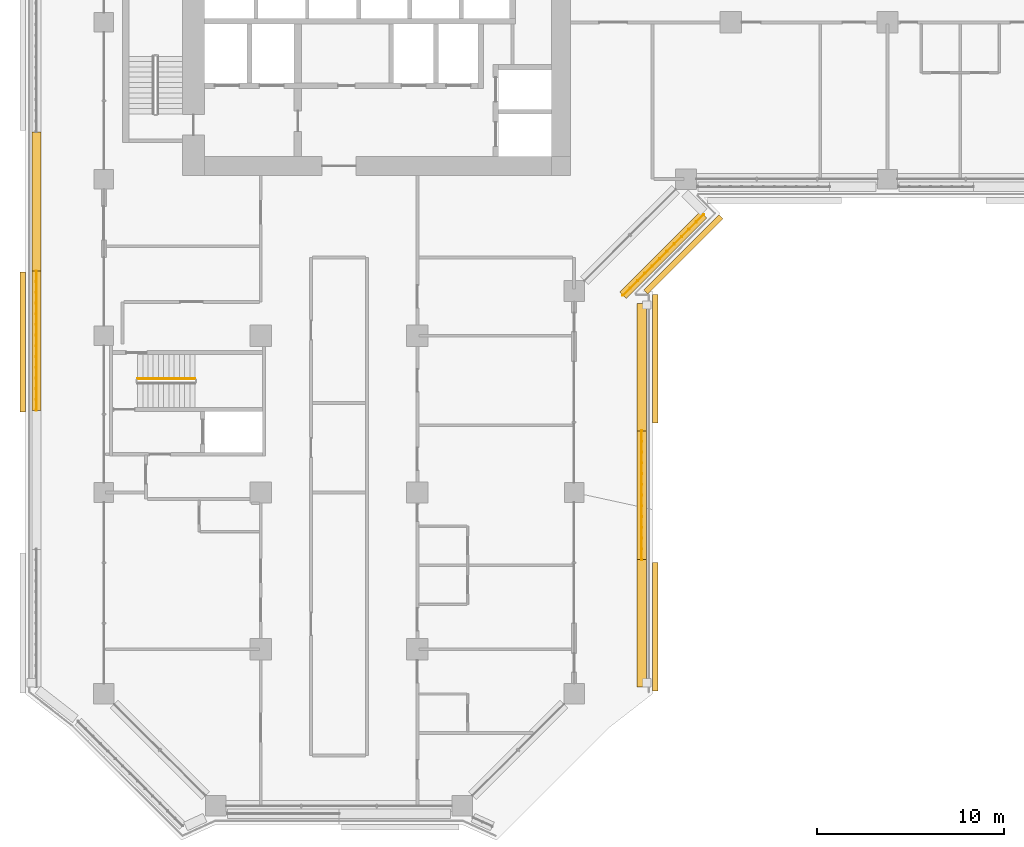
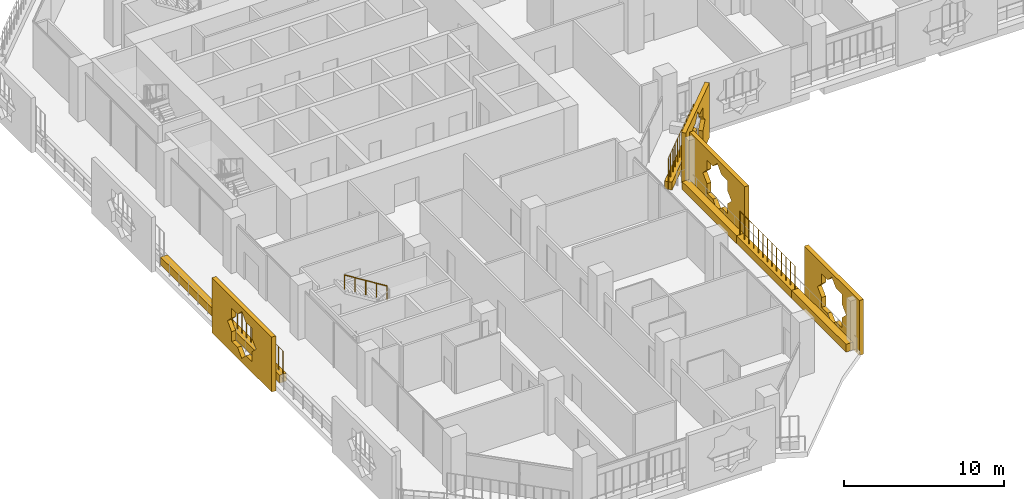
# One storey, part 20 of 25: 10 coverings, 4 railings.
"""IFC4 building model written with IfcOpenShell, lengths in metres."""

from ifc_helpers import new_model, si_unit, direction, frame, origin, origin_2d, place, context, subcontext, project, spatial, polyline, rectangle, circle, outline, extrude, material, material_profile, profile_set, type_object, element, save


model = new_model("IFC4")

# Units and contexts
model_context = context("Model", 3, precision=1e-05, world=origin(), true_north=direction((0.0, 1.0)))
body_context = subcontext(model_context, "Body", "Model", "MODEL_VIEW")
ifc_project = project(units=[si_unit("LENGTHUNIT", "METRE"), si_unit("AREAUNIT", "SQUARE_METRE"), si_unit("VOLUMEUNIT", "CUBIC_METRE"), si_unit("PLANEANGLEUNIT", "RADIAN"), si_unit("MASSUNIT", "GRAM", prefix="KILO")], contexts=[model_context])

# Site, building, storey
site_placement = place(None, origin())
site = spatial("IfcSite", under=ifc_project, at=site_placement, CompositionType="ELEMENT")
building_placement = place(site_placement, origin())
building = spatial("IfcBuilding", under=site, at=building_placement, Name="Kawkab Arch Medical Tower", CompositionType="ELEMENT")
storey_placement = place(building_placement, frame((0.0, 0.0, 124.0)))
storey = spatial("IfcBuildingStorey", under=building, at=storey_placement, Name="L28", CompositionType="ELEMENT", Elevation=124.0)

# Coverings
ifc_material_1 = material(Name="Bronze anodised aluminium mashrabiya panel, eight-point star pattern", Category="aluminium")
ifc_material_profile_1 = material_profile(ifc_material_1, outline(polyline([(-2.85009765625, -2.10009765625), (2.85009765625, -2.10009765625), (2.85009765625, 2.10009765625), (-2.85009765625, 2.10009765625), (-2.85009765625, -2.10009765625)]), holes=[polyline([(1.800048828125, 0.0), (1.272705078125, 0.527099609375), (1.272705078125, 1.272705078125), (0.527099609375, 1.272705078125), (0.0, 1.800048828125), (-0.527099609375, 1.272705078125), (-1.272705078125, 1.272705078125), (-1.272705078125, 0.527099609375), (-1.800048828125, 0.0), (-1.272705078125, -0.527099609375), (-1.272705078125, -1.272705078125), (-0.527099609375, -1.272705078125), (0.0, -1.800048828125), (0.527099609375, -1.272705078125), (1.272705078125, -1.272705078125), (1.272705078125, -0.527099609375), (1.800048828125, 0.0)])]), Name="Mashrabiya panel 5700x4200")
ifc_profile_set_1 = profile_set([ifc_material_profile_1], Name="Bronze anodised aluminium mashrabiya panel, eight-point star pattern")
covering_type_1 = type_object("IfcCoveringType", Name="Mashrabiya panel 5700 x 4200", PredefinedType="USERDEFINED", material=ifc_profile_set_1)
covering_1_placement = place(storey_placement, frame((30.94775390625, -29.128662109375, 1.699951171875), z_axis=(0.707106781187, -0.707106781187, 0.0), x_axis=(0.707106781187, 0.707106781187, 0.0)))
element("IfcCovering", 1, at=covering_1_placement, inside=storey, type_object=covering_type_1, Name="Mashrabiya panel L28.LOG-01-01.14", ObjectType="SCREEN", PredefinedType="USERDEFINED", context=body_context, shape_type="SweptSolid", body=[
    extrude(outline(polyline([(-2.85009765625, -2.10009765625), (2.85009765625, -2.10009765625), (2.85009765625, 2.10009765625), (-2.85009765625, 2.10009765625), (-2.85009765625, -2.10009765625)]), holes=[polyline([(1.800048828125, 0.0), (1.272705078125, 0.527099609375), (1.272705078125, 1.272705078125), (0.527099609375, 1.272705078125), (0.0, 1.800048828125), (-0.527099609375, 1.272705078125), (-1.272705078125, 1.272705078125), (-1.272705078125, 0.527099609375), (-1.800048828125, 0.0), (-1.272705078125, -0.527099609375), (-1.272705078125, -1.272705078125), (-0.527099609375, -1.272705078125), (0.0, -1.800048828125), (0.527099609375, -1.272705078125), (1.272705078125, -1.272705078125), (1.272705078125, -0.527099609375), (1.800048828125, 0.0)])]), origin(), (0.0, 0.0, 1.0), 0.300048828125),
])
ifc_material_2 = material(Name="Bronze anodised aluminium mashrabiya panel, eight-point star pattern", Category="aluminium")
ifc_material_profile_2 = material_profile(ifc_material_2, outline(polyline([(-3.449951171875, -2.10009765625), (3.449951171875, -2.10009765625), (3.449951171875, 2.10009765625), (-3.449951171875, 2.10009765625), (-3.449951171875, -2.10009765625)]), holes=[polyline([(1.800048828125, 0.0), (1.272705078125, 0.527099609375), (1.272705078125, 1.272705078125), (0.527099609375, 1.272705078125), (0.0, 1.800048828125), (-0.527099609375, 1.272705078125), (-1.272705078125, 1.272705078125), (-1.272705078125, 0.527099609375), (-1.800048828125, 0.0), (-1.272705078125, -0.527099609375), (-1.272705078125, -1.272705078125), (-0.527099609375, -1.272705078125), (0.0, -1.800048828125), (0.527099609375, -1.272705078125), (1.272705078125, -1.272705078125), (1.272705078125, -0.527099609375), (1.800048828125, 0.0)])]), Name="Mashrabiya panel 6900x4200")
ifc_profile_set_2 = profile_set([ifc_material_profile_2], Name="Bronze anodised aluminium mashrabiya panel, eight-point star pattern")
covering_type_2 = type_object("IfcCoveringType", Name="Mashrabiya panel 6900 x 4200", PredefinedType="USERDEFINED", material=ifc_profile_set_2)
for number, where, z_axis, x_axis, name in (
    (2, (29.39990234375, -34.827392578125, 1.699951171875), (1.0, 0.0, 0.0), (0.0, 1.0, 0.0), "Mashrabiya panel L28.LOG-01-01.15"),
    (3, (29.39990234375, -49.197509765625, 1.699951171875), (1.0, 0.0, 0.0), (0.0, 1.0, 0.0), "Mashrabiya panel L28.LOG-01-01.16"),
):
    element("IfcCovering", number, at=place(storey_placement, frame(where, z_axis=z_axis, x_axis=x_axis)), inside=storey, type_object=covering_type_2, Name=name, ObjectType="SCREEN", PredefinedType="USERDEFINED", context=body_context, shape_type="SweptSolid", body=[
        extrude(outline(polyline([(-3.449951171875, -2.10009765625), (3.449951171875, -2.10009765625), (3.449951171875, 2.10009765625), (-3.449951171875, 2.10009765625), (-3.449951171875, -2.10009765625)]), holes=[polyline([(1.800048828125, 0.0), (1.272705078125, 0.527099609375), (1.272705078125, 1.272705078125), (0.527099609375, 1.272705078125), (0.0, 1.800048828125), (-0.527099609375, 1.272705078125), (-1.272705078125, 1.272705078125), (-1.272705078125, 0.527099609375), (-1.800048828125, 0.0), (-1.272705078125, -0.527099609375), (-1.272705078125, -1.272705078125), (-0.527099609375, -1.272705078125), (0.0, -1.800048828125), (0.527099609375, -1.272705078125), (1.272705078125, -1.272705078125), (1.272705078125, -0.527099609375), (1.800048828125, 0.0)])]), origin(), (0.0, 0.0, 1.0), 0.300048828125),
    ])
ifc_material_3 = material(Name="Bronze anodised aluminium mashrabiya panel, eight-point star pattern", Category="aluminium")
ifc_material_profile_3 = material_profile(ifc_material_3, outline(polyline([(-3.75, -2.10009765625), (3.75, -2.10009765625), (3.75, 2.10009765625), (-3.75, 2.10009765625), (-3.75, -2.10009765625)]), holes=[polyline([(1.800048828125, 0.0), (1.272705078125, 0.527099609375), (1.272705078125, 1.272705078125), (0.527099609375, 1.272705078125), (0.0, 1.800048828125), (-0.527099609375, 1.272705078125), (-1.272705078125, 1.272705078125), (-1.272705078125, 0.527099609375), (-1.800048828125, 0.0), (-1.272705078125, -0.527099609375), (-1.272705078125, -1.272705078125), (-0.527099609375, -1.272705078125), (0.0, -1.800048828125), (0.527099609375, -1.272705078125), (1.272705078125, -1.272705078125), (1.272705078125, -0.527099609375), (1.800048828125, 0.0)])]), Name="Mashrabiya panel 7500x4200")
ifc_profile_set_3 = profile_set([ifc_material_profile_3], Name="Bronze anodised aluminium mashrabiya panel, eight-point star pattern")
covering_type_3 = type_object("IfcCoveringType", Name="Mashrabiya panel 7500 x 4200", PredefinedType="USERDEFINED", material=ifc_profile_set_3)
covering_2_placement = place(storey_placement, frame((-4.199951171875, -33.94140625, 1.699951171875), z_axis=(-1.0, 0.0, 0.0), x_axis=(0.0, -1.0, 0.0)))
element("IfcCovering", 4, at=covering_2_placement, inside=storey, type_object=covering_type_3, Name="Mashrabiya panel L28.LOG-01-01.3", ObjectType="SCREEN", PredefinedType="USERDEFINED", context=body_context, shape_type="SweptSolid", body=[
    extrude(outline(polyline([(-3.75, -2.10009765625), (3.75, -2.10009765625), (3.75, 2.10009765625), (-3.75, 2.10009765625), (-3.75, -2.10009765625)]), holes=[polyline([(1.800048828125, 0.0), (1.272705078125, 0.527099609375), (1.272705078125, 1.272705078125), (0.527099609375, 1.272705078125), (0.0, 1.800048828125), (-0.527099609375, 1.272705078125), (-1.272705078125, 1.272705078125), (-1.272705078125, 0.527099609375), (-1.800048828125, 0.0), (-1.272705078125, -0.527099609375), (-1.272705078125, -1.272705078125), (-0.527099609375, -1.272705078125), (0.0, -1.800048828125), (0.527099609375, -1.272705078125), (1.272705078125, -1.272705078125), (1.272705078125, -0.527099609375), (1.800048828125, 0.0)])]), origin(), (0.0, 0.0, 1.0), 0.300048828125),
])
ifc_material_4 = material(Name="Planting soil in a precast trough", Category="concrete")
ifc_material_profile_4 = material_profile(ifc_material_4, rectangle(XDim=0.5, YDim=0.60009765625, at=origin_2d()), Name="Trough 500x600")
ifc_profile_set_4 = profile_set([ifc_material_profile_4], Name="Planting soil in a precast trough")
covering_type_4 = type_object("IfcCoveringType", Name="Planter trough 500 x 600", PredefinedType="USERDEFINED", material=ifc_profile_set_4)
covering_3_placement = place(storey_placement, frame((-3.6201171875, -37.593017578125, 0.300048828125), z_axis=(0.0, 1.0, 0.0), x_axis=(-1.0, 0.0, 0.0)))
element("IfcCovering", 5, at=covering_3_placement, inside=storey, type_object=covering_type_4, Name="Planter L28.LOG-01-01.9", ObjectType="PLANTER", PredefinedType="USERDEFINED", context=body_context, shape_type="SweptSolid", body=[
    extrude(rectangle(XDim=0.5, YDim=0.60009765625, at=origin_2d()), origin(), (0.0, 0.0, 1.0), 7.4619140625),
])
covering_4_placement = place(storey_placement, frame((-3.6201171875, -30.131103515625, 0.300048828125), z_axis=(0.0, 1.0, 0.0), x_axis=(-1.0, 0.0, 0.0)))
element("IfcCovering", 6, at=covering_4_placement, inside=storey, type_object=covering_type_4, Name="Planter L28.LOG-01-01.10", ObjectType="PLANTER", PredefinedType="USERDEFINED", context=body_context, shape_type="SweptSolid", body=[
    extrude(rectangle(XDim=0.5, YDim=0.60009765625, at=origin_2d()), origin(), (0.0, 0.0, 1.0), 7.462158203125),
])
covering_5_placement = place(storey_placement, frame((32.14697265625, -27.10888671875, 0.300048828125), z_axis=(-0.707007043994, -0.707206504313, 0.0), x_axis=(0.707206504313, -0.707007043994, 0.0)))
element("IfcCovering", 7, at=covering_5_placement, inside=storey, type_object=covering_type_4, Name="Planter L28.LOG-01-01.43", ObjectType="PLANTER", PredefinedType="USERDEFINED", context=body_context, shape_type="SweptSolid", body=[
    extrude(rectangle(XDim=0.5, YDim=0.60009765625, at=origin_2d()), origin(), (0.0, 0.0, 1.0), 6.1201171875),
])
covering_6_placement = place(storey_placement, frame((28.820068359375, -31.8798828125, 0.300048828125), z_axis=(0.0, -1.0, 0.0), x_axis=(1.0, 0.0, 0.0)))
element("IfcCovering", 8, at=covering_6_placement, inside=storey, type_object=covering_type_4, Name="Planter L28.LOG-01-01.44", ObjectType="PLANTER", PredefinedType="USERDEFINED", context=body_context, shape_type="SweptSolid", body=[
    extrude(rectangle(XDim=0.5, YDim=0.60009765625, at=origin_2d()), origin(), (0.0, 0.0, 1.0), 6.81201171875),
])
covering_7_placement = place(storey_placement, frame((28.820068359375, -38.69189453125, 0.300048828125), z_axis=(0.0, -1.0, 0.0), x_axis=(1.0, 0.0, 0.0)))
element("IfcCovering", 9, at=covering_7_placement, inside=storey, type_object=covering_type_4, Name="Planter L28.LOG-01-01.45", ObjectType="PLANTER", PredefinedType="USERDEFINED", context=body_context, shape_type="SweptSolid", body=[
    extrude(rectangle(XDim=0.5, YDim=0.60009765625, at=origin_2d()), origin(), (0.0, 0.0, 1.0), 6.912109375),
])
covering_8_placement = place(storey_placement, frame((28.820068359375, -45.60400390625, 0.300048828125), z_axis=(0.0, -1.0, 0.0), x_axis=(1.0, 0.0, 0.0)))
element("IfcCovering", 10, at=covering_8_placement, inside=storey, type_object=covering_type_4, Name="Planter L28.LOG-01-01.46", ObjectType="PLANTER", PredefinedType="USERDEFINED", context=body_context, shape_type="SweptSolid", body=[
    extrude(rectangle(XDim=0.5, YDim=0.60009765625, at=origin_2d()), origin(), (0.0, 0.0, 1.0), 6.81201171875),
])

# Railings
ifc_material_5 = material(Name="Bronze anodised aluminium trellis for climbing plants", Category="aluminium")
railing_type_1 = type_object("IfcRailingType", Name="Planting trellis 2400", PredefinedType="USERDEFINED", material=ifc_material_5)
railing_1_placement = place(storey_placement, frame((-3.6201171875, -37.593017578125, 0.0)))
element("IfcRailing", 11, at=railing_1_placement, inside=storey, type_object=railing_type_1, Name="Planting trellis L28.LOG-01-01.9", ObjectType="TRELLIS", PredefinedType="USERDEFINED", context=body_context, shape_type="SweptSolid", body=[
    extrude(circle(Radius=0.01513671875, at=origin_2d()), frame((0.0, 0.0, 2.384765625), z_axis=(0.0, 1.0, 0.0), x_axis=(-1.0, 0.0, 0.0)), (0.0, 0.0, 1.0), 7.4619140625),
    extrude(circle(Radius=0.030029296875, at=origin_2d()), origin(), (0.0, 0.0, 1.0), 2.369873046875),
    extrude(circle(Radius=0.030029296875, at=origin_2d()), frame((0.0, 0.573974609375, 0.0)), (0.0, 0.0, 1.0), 2.369873046875),
    extrude(circle(Radius=0.030029296875, at=origin_2d()), frame((0.0, 1.14794921875, 0.0)), (0.0, 0.0, 1.0), 2.369873046875),
    extrude(circle(Radius=0.030029296875, at=origin_2d()), frame((0.0, 1.721923828125, 0.0)), (0.0, 0.0, 1.0), 2.369873046875),
    extrude(circle(Radius=0.030029296875, at=origin_2d()), frame((0.0, 2.2958984375, 0.0)), (0.0, 0.0, 1.0), 2.369873046875),
    extrude(circle(Radius=0.030029296875, at=origin_2d()), frame((0.0, 2.869873046875, 0.0)), (0.0, 0.0, 1.0), 2.369873046875),
    extrude(circle(Radius=0.030029296875, at=origin_2d()), frame((0.0, 3.44384765625, 0.0)), (0.0, 0.0, 1.0), 2.369873046875),
    extrude(circle(Radius=0.030029296875, at=origin_2d()), frame((0.0, 4.01806640625, 0.0)), (0.0, 0.0, 1.0), 2.369873046875),
    extrude(circle(Radius=0.030029296875, at=origin_2d()), frame((0.0, 4.592041015625, 0.0)), (0.0, 0.0, 1.0), 2.369873046875),
    extrude(circle(Radius=0.030029296875, at=origin_2d()), frame((0.0, 5.166015625, 0.0)), (0.0, 0.0, 1.0), 2.369873046875),
    extrude(circle(Radius=0.030029296875, at=origin_2d()), frame((0.0, 5.739990234375, 0.0)), (0.0, 0.0, 1.0), 2.369873046875),
    extrude(circle(Radius=0.030029296875, at=origin_2d()), frame((0.0, 6.31396484375, 0.0)), (0.0, 0.0, 1.0), 2.369873046875),
    extrude(circle(Radius=0.030029296875, at=origin_2d()), frame((0.0, 6.887939453125, 0.0)), (0.0, 0.0, 1.0), 2.369873046875),
    extrude(circle(Radius=0.030029296875, at=origin_2d()), frame((0.0, 7.4619140625, 0.0)), (0.0, 0.0, 1.0), 2.369873046875),
])
railing_2_placement = place(storey_placement, frame((32.14697265625, -27.10888671875, 0.0)))
element("IfcRailing", 12, at=railing_2_placement, inside=storey, type_object=railing_type_1, Name="Planting trellis L28.LOG-01-01.43", ObjectType="TRELLIS", PredefinedType="USERDEFINED", context=body_context, shape_type="SweptSolid", body=[
    extrude(circle(Radius=0.01513671875, at=origin_2d()), frame((0.0, 0.0, 2.384765625), z_axis=(-0.707007043994, -0.707206504313, 0.0), x_axis=(0.707206504313, -0.707007043994, 0.0)), (0.0, 0.0, 1.0), 6.1201171875),
    extrude(circle(Radius=0.030029296875, at=origin_2d()), origin(), (0.0, 0.0, 1.0), 2.369873046875),
    extrude(circle(Radius=0.030029296875, at=origin_2d()), frame((-0.393310546875, -0.3935546875, 0.0)), (0.0, 0.0, 1.0), 2.369873046875),
    extrude(circle(Radius=0.030029296875, at=origin_2d()), frame((-0.78662109375, -0.786865234375, 0.0)), (0.0, 0.0, 1.0), 2.369873046875),
    extrude(circle(Radius=0.030029296875, at=origin_2d()), frame((-1.18017578125, -1.180419921875, 0.0)), (0.0, 0.0, 1.0), 2.369873046875),
    extrude(circle(Radius=0.030029296875, at=origin_2d()), frame((-1.573486328125, -1.573974609375, 0.0)), (0.0, 0.0, 1.0), 2.369873046875),
    extrude(circle(Radius=0.030029296875, at=origin_2d()), frame((-1.966796875, -1.96728515625, 0.0)), (0.0, 0.0, 1.0), 2.369873046875),
    extrude(circle(Radius=0.030029296875, at=origin_2d()), frame((-2.360107421875, -2.36083984375, 0.0)), (0.0, 0.0, 1.0), 2.369873046875),
    extrude(circle(Radius=0.030029296875, at=origin_2d()), frame((-2.75341796875, -2.754150390625, 0.0)), (0.0, 0.0, 1.0), 2.369873046875),
    extrude(circle(Radius=0.030029296875, at=origin_2d()), frame((-3.146728515625, -3.147705078125, 0.0)), (0.0, 0.0, 1.0), 2.369873046875),
    extrude(circle(Radius=0.030029296875, at=origin_2d()), frame((-3.540283203125, -3.541259765625, 0.0)), (0.0, 0.0, 1.0), 2.369873046875),
    extrude(circle(Radius=0.030029296875, at=origin_2d()), frame((-3.93359375, -3.9345703125, 0.0)), (0.0, 0.0, 1.0), 2.369873046875),
    extrude(circle(Radius=0.030029296875, at=origin_2d()), frame((-4.326904296875, -4.328125, 0.0)), (0.0, 0.0, 1.0), 2.369873046875),
])
railing_3_placement = place(storey_placement, frame((28.820068359375, -38.69189453125, 0.0)))
element("IfcRailing", 13, at=railing_3_placement, inside=storey, type_object=railing_type_1, Name="Planting trellis L28.LOG-01-01.45", ObjectType="TRELLIS", PredefinedType="USERDEFINED", context=body_context, shape_type="SweptSolid", body=[
    extrude(circle(Radius=0.01513671875, at=origin_2d()), frame((0.0, 0.0, 2.384765625), z_axis=(0.0, -1.0, 0.0), x_axis=(1.0, 0.0, 0.0)), (0.0, 0.0, 1.0), 6.912109375),
    extrude(circle(Radius=0.030029296875, at=origin_2d()), origin(), (0.0, 0.0, 1.0), 2.369873046875),
    extrude(circle(Radius=0.030029296875, at=origin_2d()), frame((0.0, -0.575927734375, 0.0)), (0.0, 0.0, 1.0), 2.369873046875),
    extrude(circle(Radius=0.030029296875, at=origin_2d()), frame((0.0, -1.152099609375, 0.0)), (0.0, 0.0, 1.0), 2.369873046875),
    extrude(circle(Radius=0.030029296875, at=origin_2d()), frame((0.0, -1.72802734375, 0.0)), (0.0, 0.0, 1.0), 2.369873046875),
    extrude(circle(Radius=0.030029296875, at=origin_2d()), frame((0.0, -2.303955078125, 0.0)), (0.0, 0.0, 1.0), 2.369873046875),
    extrude(circle(Radius=0.030029296875, at=origin_2d()), frame((0.0, -2.880126953125, 0.0)), (0.0, 0.0, 1.0), 2.369873046875),
    extrude(circle(Radius=0.030029296875, at=origin_2d()), frame((0.0, -3.4560546875, 0.0)), (0.0, 0.0, 1.0), 2.369873046875),
    extrude(circle(Radius=0.030029296875, at=origin_2d()), frame((0.0, -4.031982421875, 0.0)), (0.0, 0.0, 1.0), 2.369873046875),
    extrude(circle(Radius=0.030029296875, at=origin_2d()), frame((0.0, -4.608154296875, 0.0)), (0.0, 0.0, 1.0), 2.369873046875),
    extrude(circle(Radius=0.030029296875, at=origin_2d()), frame((0.0, -5.18408203125, 0.0)), (0.0, 0.0, 1.0), 2.369873046875),
    extrude(circle(Radius=0.030029296875, at=origin_2d()), frame((0.0, -5.760009765625, 0.0)), (0.0, 0.0, 1.0), 2.369873046875),
    extrude(circle(Radius=0.030029296875, at=origin_2d()), frame((0.0, -6.336181640625, 0.0)), (0.0, 0.0, 1.0), 2.369873046875),
    extrude(circle(Radius=0.030029296875, at=origin_2d()), frame((0.0, -6.912109375, 0.0)), (0.0, 0.0, 1.0), 2.369873046875),
])
ifc_material_6 = material(Name="Stainless steel", Category="steel")
railing_type_2 = type_object("IfcRailingType", Name="Stair guard 1100", PredefinedType="GUARDRAIL", material=ifc_material_6)
railing_4_placement = place(storey_placement, frame((4.8798828125, -35.89990234375, 2.27490234375)))
element("IfcRailing", 14, at=railing_4_placement, inside=storey, type_object=railing_type_2, Name="L28 ST6 stair guard 3", PredefinedType="GUARDRAIL", context=body_context, shape_type="SweptSolid", body=[
    extrude(circle(Radius=0.02392578125, at=origin_2d()), frame((0.0, 0.0, 1.076171875), z_axis=(-0.847979421464, 0.0, 0.530029150871), x_axis=(0.0, -1.0, 0.0)), (0.0, 0.0, 1.0), 3.632080078125),
    extrude(circle(Radius=0.02099609375, at=origin_2d()), origin(), (0.0, 0.0, 1.0), 1.052001953125),
    extrude(circle(Radius=0.02099609375, at=origin_2d()), frame((-0.77001953125, 0.0, 0.481201171875)), (0.0, 0.0, 1.0), 1.052001953125),
    extrude(circle(Radius=0.02099609375, at=origin_2d()), frame((-1.5400390625, 0.0, 0.96240234375)), (0.0, 0.0, 1.0), 1.052001953125),
    extrude(circle(Radius=0.02099609375, at=origin_2d()), frame((-2.309814453125, 0.0, 1.44384765625)), (0.0, 0.0, 1.0), 1.052001953125),
    extrude(circle(Radius=0.02099609375, at=origin_2d()), frame((-3.079833984375, 0.0, 1.925048828125)), (0.0, 0.0, 1.0), 1.052001953125),
])

save(model, "model.ifc")
